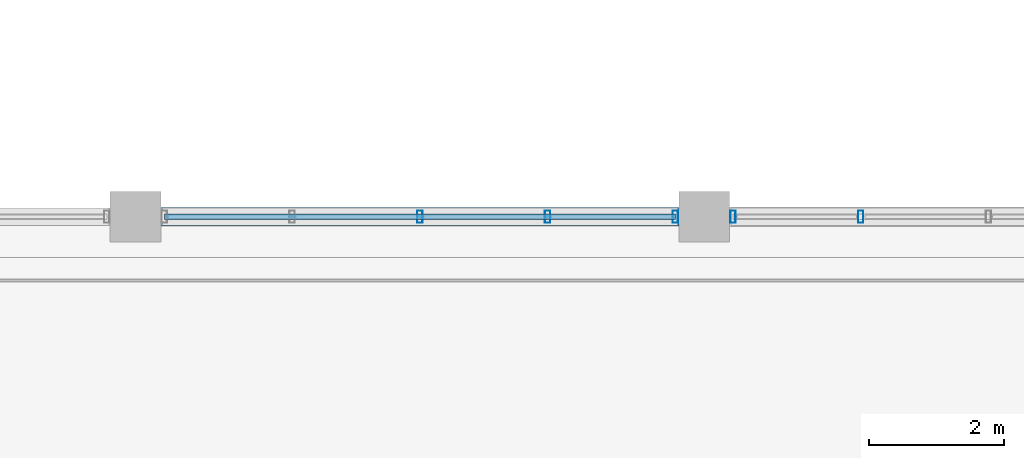
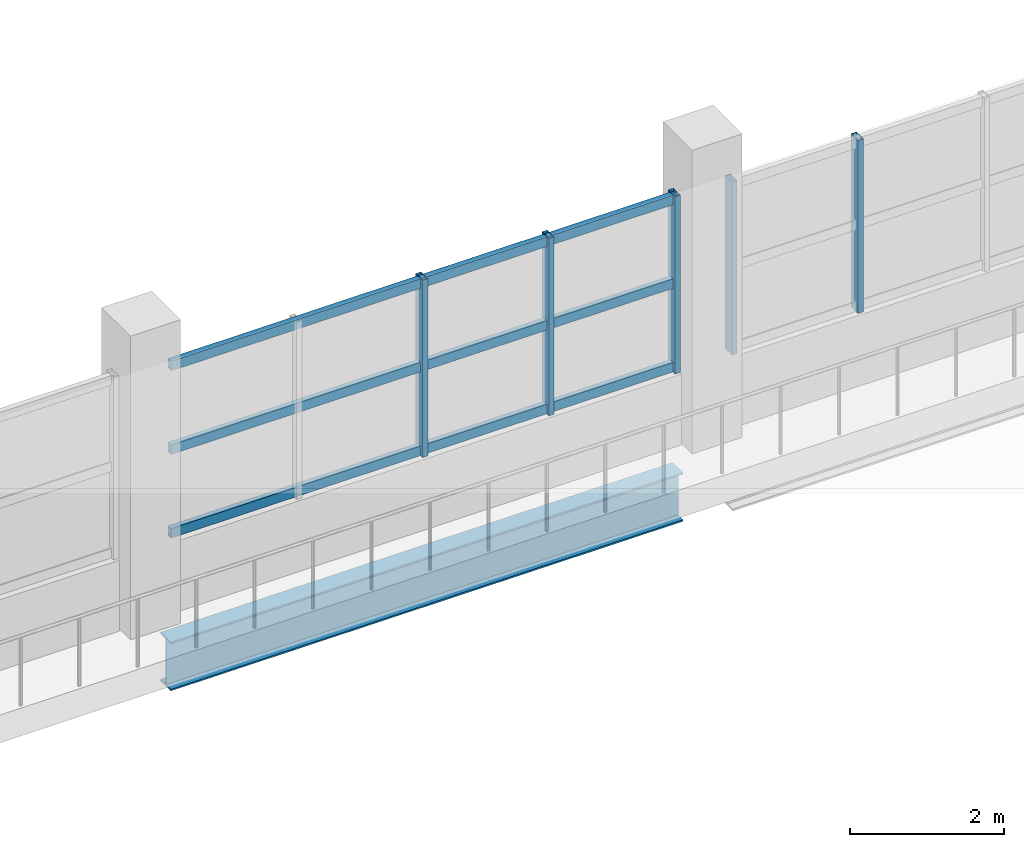
# One storey, part 36 of 77: 8 members, 1 beam, 2 elements without a shape of their own.
"""IFC4 building model written with IfcOpenShell, lengths in metres."""

from ifc_helpers import new_model, si_unit, direction, frame, origin, origin_2d, place, context, subcontext, project, spatial, hollow_rectangle, i_section, extrude, material, material_profile, profile_set, type_object, element, aggregate, save


model = new_model("IFC4")

# Units and contexts
model_context = context("Model", 3, precision=1e-05, world=origin(), true_north=direction((0.0, 1.0)))
body_context = subcontext(model_context, "Body", "Model", "MODEL_VIEW")
ifc_project = project(units=[si_unit("LENGTHUNIT", "METRE"), si_unit("AREAUNIT", "SQUARE_METRE"), si_unit("VOLUMEUNIT", "CUBIC_METRE"), si_unit("PLANEANGLEUNIT", "RADIAN"), si_unit("MASSUNIT", "GRAM", prefix="KILO")], contexts=[model_context])

# Site, building, storey
site_placement = place(None, origin())
site = spatial("IfcSite", under=ifc_project, at=site_placement, CompositionType="ELEMENT")
building_placement = place(site_placement, origin())
building = spatial("IfcBuilding", under=site, at=building_placement, Name="Solvento Point Concert Hall", CompositionType="ELEMENT")
storey_placement = place(building_placement, frame((0.0, 0.0, 10.199951171875)))
storey = spatial("IfcBuildingStorey", under=building, at=storey_placement, Name="L02", CompositionType="ELEMENT", Elevation=10.199951171875)

# Beam
ifc_material_1 = material(Name="Structural Steel ASTM A992 Grade 50", Category="steel")
ifc_material_profile_1 = material_profile(ifc_material_1, i_section(OverallWidth=0.26806640625, OverallDepth=0.77001953125, WebThickness=0.015625, FlangeThickness=0.025390625, at=origin_2d()), Name="W30X132")
ifc_profile_set_1 = profile_set([ifc_material_profile_1], Name="Structural Steel ASTM A992 Grade 50")
beam_type = type_object("IfcBeamType", Name="Girder_W30X132", PredefinedType="USERDEFINED", material=ifc_profile_set_1)
beam_placement = place(storey_placement, frame((167.1689453125, 25.5, -0.828857421875), z_axis=(1.0, 0.0, 0.0), x_axis=(0.0, 1.0, 0.0)))
element("IfcBeam", 1, at=beam_placement, inside=storey, type_object=beam_type, Name="Primary girder B-68 L02", ObjectType="GIRDER", PredefinedType="USERDEFINED", context=body_context, shape_type="SweptSolid", body=[
    extrude(i_section(OverallWidth=0.26806640625, OverallDepth=0.77001953125, WebThickness=0.015625, FlangeThickness=0.025390625, at=origin_2d()), origin(), (0.0, 0.0, 1.0), 7.662109375),
])

# Curtain wall, members
ifc_material_2 = material(Name="Anodized Bronze Aluminium", Category="aluminium")
curtain_wall_type = type_object("IfcCurtainWallType", Name="CurtainWall_ChamberCircle", PredefinedType="USERDEFINED", material=ifc_material_2)
curtain_wall_1_placement = place(storey_placement, origin())
curtain_wall_1 = element("IfcCurtainWall", 2, at=curtain_wall_1_placement, inside=storey, type_object=curtain_wall_type, Name="Unitised curtain wall CW-32 UCW-L02-147", ObjectType="UNITISED CURTAIN WALL", PredefinedType="USERDEFINED")
ifc_material_3 = material(Name="Anodized Bronze Aluminium", Category="aluminium")
ifc_material_profile_2 = material_profile(ifc_material_3, hollow_rectangle(XDim=0.080078125, YDim=0.179931640625, WallThickness=0.00390625, at=origin_2d()), Name="CW-MUL-80X180")
ifc_profile_set_2 = profile_set([ifc_material_profile_2], Name="Anodized Bronze Aluminium")
member_type_1 = type_object("IfcMemberType", Name="Mullion_80x180", PredefinedType="MULLION", material=ifc_profile_set_2)
member_1_placement = place(storey_placement, frame((171.0, 25.5, 1.1201171875), z_axis=(0.0, 0.0, 1.0), x_axis=(1.0, 0.0, 0.0)))
member_1 = element("IfcMember", 3, at=member_1_placement, type_object=member_type_1, Name="Curtain wall mullion ML-01", PredefinedType="MULLION", context=body_context, shape_type="SweptSolid", body=[
    extrude(hollow_rectangle(XDim=0.080078125, YDim=0.179931640625, WallThickness=0.00390625, at=origin_2d()), origin(), (0.0, 0.0, 1.0), 2.804931640625),
])
member_2_placement = place(storey_placement, frame((172.887451171875, 25.5, 1.1201171875), z_axis=(0.0, 0.0, 1.0), x_axis=(1.0, 0.0, 0.0)))
member_2 = element("IfcMember", 4, at=member_2_placement, type_object=member_type_1, Name="Curtain wall mullion ML-01", PredefinedType="MULLION", context=body_context, shape_type="SweptSolid", body=[
    extrude(hollow_rectangle(XDim=0.080078125, YDim=0.179931640625, WallThickness=0.00390625, at=origin_2d()), origin(), (0.0, 0.0, 1.0), 2.804931640625),
])
member_3_placement = place(storey_placement, frame((174.77490234375, 25.5, 1.1201171875), z_axis=(0.0, 0.0, 1.0), x_axis=(1.0, 0.0, 0.0)))
member_3 = element("IfcMember", 5, at=member_3_placement, type_object=member_type_1, Name="Curtain wall mullion ML-01", PredefinedType="MULLION", context=body_context, shape_type="SweptSolid", body=[
    extrude(hollow_rectangle(XDim=0.080078125, YDim=0.179931640625, WallThickness=0.00390625, at=origin_2d()), origin(), (0.0, 0.0, 1.0), 2.804931640625),
])

curtain_wall_2_placement = place(storey_placement, origin())
curtain_wall_2 = element("IfcCurtainWall", 6, at=curtain_wall_2_placement, inside=storey, type_object=curtain_wall_type, Name="Unitised curtain wall CW-32 UCW-L02-148", ObjectType="UNITISED CURTAIN WALL", PredefinedType="USERDEFINED")
member_4_placement = place(storey_placement, frame((175.625, 25.5, 1.1201171875), z_axis=(0.0, 0.0, 1.0), x_axis=(1.0, 0.0, 0.0)))
member_4 = element("IfcMember", 7, at=member_4_placement, type_object=member_type_1, Name="Curtain wall mullion ML-01", PredefinedType="MULLION", context=body_context, shape_type="SweptSolid", body=[
    extrude(hollow_rectangle(XDim=0.080078125, YDim=0.179931640625, WallThickness=0.00390625, at=origin_2d()), origin(), (0.0, 0.0, 1.0), 2.73681640625),
])
member_5_placement = place(storey_placement, frame((177.512451171875, 25.5, 1.1201171875), z_axis=(0.0, 0.0, 1.0), x_axis=(1.0, 0.0, 0.0)))
member_5 = element("IfcMember", 8, at=member_5_placement, type_object=member_type_1, Name="Curtain wall mullion ML-01", PredefinedType="MULLION", context=body_context, shape_type="SweptSolid", body=[
    extrude(hollow_rectangle(XDim=0.080078125, YDim=0.179931640625, WallThickness=0.00390625, at=origin_2d()), origin(), (0.0, 0.0, 1.0), 2.73681640625),
])
aggregate(curtain_wall_2, [member_4, member_5])

# Member
ifc_material_4 = material(Name="Anodized Bronze Aluminium", Category="aluminium")
ifc_material_profile_3 = material_profile(ifc_material_4, hollow_rectangle(XDim=0.080078125, YDim=0.14990234375, WallThickness=0.00390625, at=origin_2d()), Name="CW-TRN-80X150")
ifc_profile_set_3 = profile_set([ifc_material_profile_3], Name="Anodized Bronze Aluminium")
member_type_2 = type_object("IfcMemberType", Name="Transom_80x150", PredefinedType="USERDEFINED", material=ifc_profile_set_3)
member_6_placement = place(storey_placement, frame((167.22509765625, 25.5, 1.199951171875), z_axis=(1.0, 0.0, 0.0), x_axis=(0.0, 1.0, 0.0)))
member_6 = element("IfcMember", 9, at=member_6_placement, type_object=member_type_2, Name="Curtain wall transom TR-01", ObjectType="TRANSOM", PredefinedType="USERDEFINED", context=body_context, shape_type="SweptSolid", body=[
    extrude(hollow_rectangle(XDim=0.080078125, YDim=0.14990234375, WallThickness=0.00390625, at=origin_2d()), origin(), (0.0, 0.0, 1.0), 7.5498046875),
])

member_7_placement = place(storey_placement, frame((167.22509765625, 25.5, 2.5224609375), z_axis=(1.0, 0.0, 0.0), x_axis=(0.0, 1.0, 0.0)))
member_7 = element("IfcMember", 10, at=member_7_placement, type_object=member_type_2, Name="Curtain wall transom TR-01", ObjectType="TRANSOM", PredefinedType="USERDEFINED", context=body_context, shape_type="SweptSolid", body=[
    extrude(hollow_rectangle(XDim=0.080078125, YDim=0.14990234375, WallThickness=0.00390625, at=origin_2d()), origin(), (0.0, 0.0, 1.0), 7.5498046875),
])

member_8_placement = place(storey_placement, frame((167.22509765625, 25.5, 3.844970703125), z_axis=(1.0, 0.0, 0.0), x_axis=(0.0, 1.0, 0.0)))
member_8 = element("IfcMember", 11, at=member_8_placement, type_object=member_type_2, Name="Curtain wall transom TR-01", ObjectType="TRANSOM", PredefinedType="USERDEFINED", context=body_context, shape_type="SweptSolid", body=[
    extrude(hollow_rectangle(XDim=0.080078125, YDim=0.14990234375, WallThickness=0.00390625, at=origin_2d()), origin(), (0.0, 0.0, 1.0), 7.5498046875),
])

aggregate(curtain_wall_1, [member_1, member_2, member_3, member_6, member_7, member_8])

save(model, "model.ifc")
